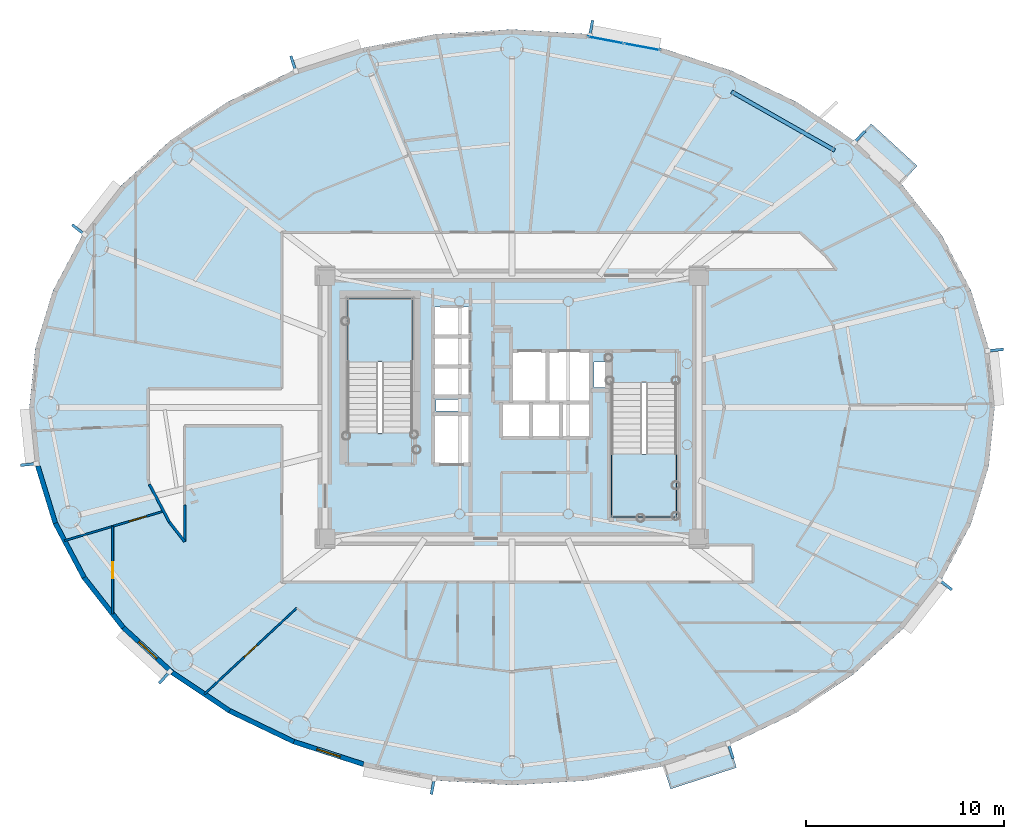
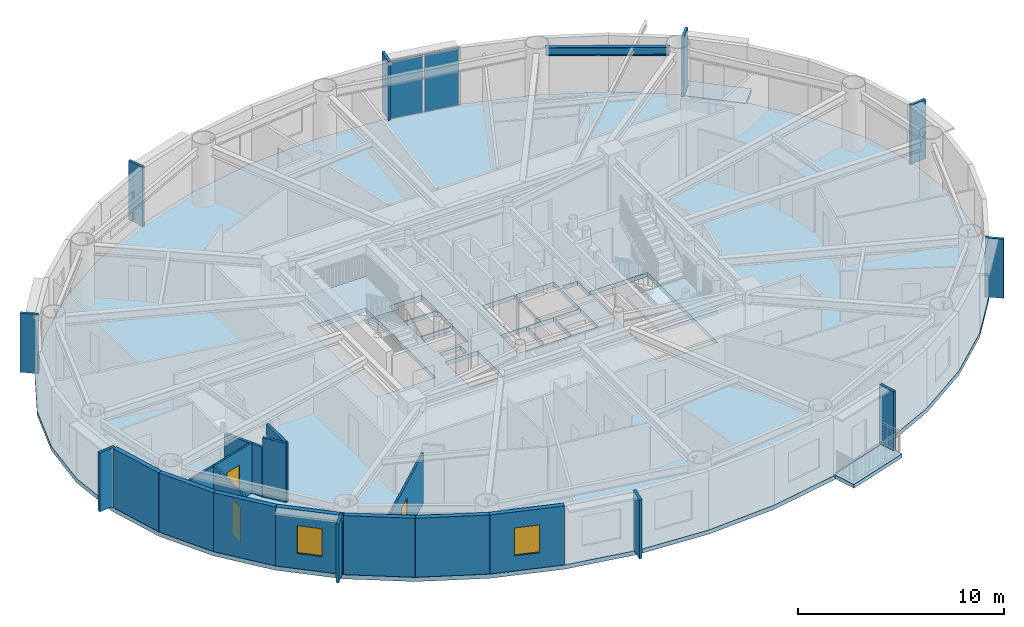
# One storey, part 5 of 18: 13 walls, 12 plates, 5 slabs, 3 doors, 2 windows, 1 beam, 5 openings, 3 elements without a shape of their own.
"""IFC4 building model written with IfcOpenShell, lengths in metres."""

from ifc_helpers import new_model, si_unit, direction, frame, frame_2d, origin, origin_2d, place, context, subcontext, project, spatial, polyline, rectangle, i_section, outline, extrude, source, transform, mapped, material, layer, layer_set, material_profile, profile_set, type_object, element, fill, aggregate, save


model = new_model("IFC4")

# Units and contexts
model_context = context("Model", 3, precision=1e-05, world=origin(), true_north=direction((0.0, 1.0)))
body_context = subcontext(model_context, "Body", "Model", "MODEL_VIEW")
ifc_project = project(units=[si_unit("LENGTHUNIT", "METRE"), si_unit("AREAUNIT", "SQUARE_METRE"), si_unit("VOLUMEUNIT", "CUBIC_METRE"), si_unit("PLANEANGLEUNIT", "RADIAN"), si_unit("MASSUNIT", "GRAM", prefix="KILO")], contexts=[model_context])

# Site, building, storey
site_placement = place(None, origin())
site = spatial("IfcSite", under=ifc_project, at=site_placement, CompositionType="ELEMENT")
building_placement = place(site_placement, origin())
building = spatial("IfcBuilding", under=site, at=building_placement, Name="Linh Dai School and Residence Tower", CompositionType="ELEMENT")
storey_placement = place(building_placement, frame((0.0, 0.0, 225.300048828125)))
storey = spatial("IfcBuildingStorey", under=building, at=storey_placement, Name="L55", CompositionType="ELEMENT", Elevation=225.300048828125)

# Beam
ifc_material_1 = material(Name="Structural Steel S355JR", Category="steel")
ifc_material_profile = material_profile(ifc_material_1, i_section(OverallWidth=0.199951171875, OverallDepth=0.5, WebThickness=0.01025390625, FlangeThickness=0.01611328125, FilletRadius=0.02099609375, at=origin_2d()), Name="IPE 500")
ifc_profile_set = profile_set([ifc_material_profile], Name="Structural Steel S355JR")
beam_type = type_object("IfcBeamType", Name="BM-RB50", PredefinedType="BEAM", material=ifc_profile_set)
beam_placement = place(storey_placement, frame((52.318115234375, 39.988525390625, 3.25), z_axis=(-0.869297314463, 0.494289570058, 0.0), x_axis=(-0.494289570058, -0.869297314463, 0.0)))
element("IfcBeam", 1, at=beam_placement, inside=storey, type_object=beam_type, Name="L55 Perimeter Elliptical Ring Beam 03", PredefinedType="BEAM", context=body_context, shape_type="SweptSolid", body=[
    extrude(i_section(OverallWidth=0.199951171875, OverallDepth=0.5, WebThickness=0.01025390625, FlangeThickness=0.01611328125, FilletRadius=0.02099609375, at=origin_2d()), origin(), (0.0, 0.0, 1.0), 6.003173828125),
])

# Slabs
ifc_material_2 = material(Name="Concrete B45 (C35/45)", Category="concrete")
ifc_layer_1 = layer(ifc_material_2, 0.219970703125)
ifc_layer_set_1 = layer_set([ifc_layer_1], Name="Concrete B45 (C35/45)")
slab_type_1 = type_object("IfcSlabType", Name="SLB-BALC-220", PredefinedType="FLOOR", material=ifc_layer_set_1)
slab_1_placement = place(storey_placement, frame((0.0, 0.0, -0.219970703125)))
element("IfcSlab", 2, at=slab_1_placement, inside=storey, type_object=slab_type_1, Name="L55 Sliding Balcony Slab 05", PredefinedType="FLOOR", context=body_context, shape_type="SweptSolid", body=[
    extrude(outline(polyline([(53.280517578125, 40.37646484375), (55.60498046875, 38.245361328125), (56.483642578125, 39.20361328125), (54.158935546875, 41.334716796875), (53.280517578125, 40.37646484375)])), origin(), (0.0, 0.0, 1.0), 0.219970703125),
])
slab_2_placement = place(storey_placement, frame((0.0, 0.0, -0.219970703125)))
element("IfcSlab", 3, at=slab_2_placement, inside=storey, type_object=slab_type_1, Name="L55 Sliding Balcony Slab 33", PredefinedType="FLOOR", context=body_context, shape_type="SweptSolid", body=[
    extrude(outline(polyline([(46.94970703125, 10.019775390625), (43.6181640625, 8.939208984375), (44.019287109375, 7.70263671875), (47.350830078125, 8.783203125), (46.94970703125, 10.019775390625)])), origin(), (0.0, 0.0, 1.0), 0.219970703125),
])
ifc_layer_2 = layer(ifc_material_2, 0.25)
ifc_layer_set_2 = layer_set([ifc_layer_2], Name="Concrete B45 (C35/45)")
slab_type_2 = type_object("IfcSlabType", Name="SLB-FLR250", PredefinedType="FLOOR", material=ifc_layer_set_2)
slab_3_placement = place(storey_placement, frame((0.0, 0.0, -0.25)))
element("IfcSlab", 4, at=slab_3_placement, inside=storey, type_object=slab_type_2, Name="L55 Composite Structural Floor Slab", PredefinedType="FLOOR", context=body_context, shape_type="SweptSolid", body=[
    extrude(outline(polyline([(60.39990234375, 27.0), (60.099609375, 29.98876953125), (59.205810546875, 32.90380859375), (57.740478515625, 35.673583984375), (55.739990234375, 38.229736328125), (53.25341796875, 40.50927734375), (50.342041015625, 42.456298828125), (47.077392578125, 44.022705078125), (43.5400390625, 45.169921875), (39.81689453125, 45.869873046875), (36.0, 46.10498046875), (32.18310546875, 45.869873046875), (28.4599609375, 45.169921875), (24.922607421875, 44.022705078125), (21.657958984375, 42.456298828125), (18.74658203125, 40.50927734375), (16.260009765625, 38.229736328125), (14.259521484375, 35.673583984375), (12.794189453125, 32.90380859375), (11.900390625, 29.98876953125), (11.60009765625, 27.0), (11.900390625, 24.01123046875), (12.794189453125, 21.09619140625), (14.259521484375, 18.326416015625), (16.260009765625, 15.770263671875), (18.74658203125, 13.49072265625), (21.657958984375, 11.543701171875), (24.922607421875, 9.977294921875), (28.4599609375, 8.830078125), (32.18310546875, 8.130126953125), (36.0, 7.89501953125), (39.81689453125, 8.130126953125), (43.5400390625, 8.830078125), (47.077392578125, 9.977294921875), (50.342041015625, 11.543701171875), (53.25341796875, 13.49072265625), (55.739990234375, 15.770263671875), (57.740478515625, 18.326416015625), (59.205810546875, 21.09619140625), (60.099609375, 24.01123046875), (60.39990234375, 27.0)]), holes=[polyline([(30.97998046875, 25.699951171875), (30.97998046875, 32.5), (27.679931640625, 32.5), (27.679931640625, 25.699951171875), (30.97998046875, 25.699951171875)]), polyline([(41.02001953125, 28.25), (41.02001953125, 21.449951171875), (44.320068359375, 21.449951171875), (44.320068359375, 28.25), (41.02001953125, 28.25)]), polyline([(35.97998046875, 27.280029296875), (37.77001953125, 27.280029296875), (37.77001953125, 29.820068359375), (35.97998046875, 29.820068359375), (35.97998046875, 27.280029296875)]), polyline([(32.030029296875, 24.1298828125), (33.8701171875, 24.1298828125), (33.8701171875, 26.6201171875), (32.030029296875, 26.6201171875), (32.030029296875, 24.1298828125)]), polyline([(37.830078125, 27.280029296875), (39.969970703125, 27.280029296875), (39.969970703125, 29.820068359375), (37.830078125, 29.820068359375), (37.830078125, 27.280029296875)]), polyline([(32.030029296875, 27.580078125), (33.8701171875, 27.580078125), (33.8701171875, 29.030029296875), (32.030029296875, 29.030029296875), (32.030029296875, 27.580078125)]), polyline([(32.030029296875, 29.090087890625), (33.8701171875, 29.090087890625), (33.8701171875, 30.550048828125), (32.030029296875, 30.550048828125), (32.030029296875, 29.090087890625)]), polyline([(32.030029296875, 30.610107421875), (33.8701171875, 30.610107421875), (33.8701171875, 32.070068359375), (32.030029296875, 32.070068359375), (32.030029296875, 30.610107421875)]), polyline([(35.47998046875, 25.47998046875), (36.929931640625, 25.47998046875), (36.929931640625, 27.219970703125), (35.47998046875, 27.219970703125), (35.47998046875, 25.47998046875)]), polyline([(36.989990234375, 25.47998046875), (38.449951171875, 25.47998046875), (38.449951171875, 27.219970703125), (36.989990234375, 27.219970703125), (36.989990234375, 25.47998046875)]), polyline([(38.510009765625, 25.47998046875), (39.969970703125, 25.47998046875), (39.969970703125, 27.219970703125), (38.510009765625, 27.219970703125), (38.510009765625, 25.47998046875)]), polyline([(40.14990234375, 28.0), (40.14990234375, 29.300048828125), (41.0, 29.300048828125), (41.0, 28.280029296875), (40.989990234375, 28.280029296875), (40.989990234375, 28.0), (40.14990234375, 28.0)]), polyline([(32.14990234375, 26.800048828125), (33.35009765625, 26.800048828125), (33.35009765625, 27.39990234375), (32.14990234375, 27.39990234375), (32.14990234375, 26.800048828125)])]), origin(), (0.0, 0.0, 1.0), 0.25),
])

# Stair, slab
stair_type = type_object("IfcStairType", Name="ST-DOG-1550-R1442", PredefinedType="HALF_TURN_STAIR", material=ifc_material_2)
stair_1_placement = place(storey_placement, origin())
stair_1 = element("IfcStair", 5, at=stair_1_placement, inside=storey, type_object=stair_type, Name="L55 Core Smokeproof Exit Stair ST1", PredefinedType="HALF_TURN_STAIR")
ifc_layer_3 = layer(ifc_material_2, 0.199951171875)
ifc_layer_set_3 = layer_set([ifc_layer_3], Name="Concrete B45 (C35/45)")
slab_type_3 = type_object("IfcSlabType", Name="SLB-ST-LANDING-200", PredefinedType="LANDING", material=ifc_layer_set_3)
slab_4_placement = place(storey_placement, frame((0.0, 0.0, 1.675048828125)))
slab_4 = element("IfcSlab", 6, at=slab_4_placement, type_object=slab_type_3, Name="ST1 landing 1", PredefinedType="LANDING", context=body_context, shape_type="SweptSolid", body=[
    extrude(outline(polyline([(30.97998046875, 29.300048828125), (30.97998046875, 32.5), (27.679931640625, 32.5), (27.679931640625, 29.300048828125), (30.97998046875, 29.300048828125)])), origin(), (0.0, 0.0, 1.0), 0.199951171875),
])
aggregate(stair_1, [slab_4])

stair_2_placement = place(storey_placement, origin())
stair_2 = element("IfcStair", 7, at=stair_2_placement, inside=storey, type_object=stair_type, Name="L55 Core Smokeproof Exit Stair ST2", PredefinedType="HALF_TURN_STAIR")
slab_5_placement = place(storey_placement, frame((0.0, 0.0, 1.675048828125)))
slab_5 = element("IfcSlab", 8, at=slab_5_placement, type_object=slab_type_3, Name="ST2 landing 1", PredefinedType="LANDING", context=body_context, shape_type="SweptSolid", body=[
    extrude(outline(polyline([(41.02001953125, 24.64990234375), (41.02001953125, 21.449951171875), (44.320068359375, 21.449951171875), (44.320068359375, 24.64990234375), (41.02001953125, 24.64990234375)])), origin(), (0.0, 0.0, 1.0), 0.199951171875),
])
aggregate(stair_2, [slab_5])

# Plates
ifc_material_3 = material(Name="Precast Concrete B45 (C35/45)", Category="concrete")
ifc_layer_4 = layer(ifc_material_3, 0.139892578125)
ifc_layer_set_4 = layer_set([ifc_layer_4], Name="Precast Concrete B45 (C35/45)")
plate_type_1 = type_object("IfcPlateType", Name="FIN-TC-900x140", PredefinedType="USERDEFINED", material=ifc_layer_set_4)
shared_shape_1 = source(origin(), body_context, "Body", "SweptSolid", [
    extrude(rectangle(XDim=0.89990234375, YDim=0.139892578125, at=origin_2d()), origin(), (0.0, 0.0, 1.0), 3.5),
])
for number, where, z_axis, x_axis, name in (
    (9, (60.39697265625, 29.885498046875, 0.0), (0.0, 0.0, 1.0), (0.99498620644, 0.100012244219, 0.0), "L55 Precast Terracotta Radial Fin 01"),
    (10, (53.541748046875, 40.632080078125, 0.0), (0.0, 0.0, 1.0), (0.675757574408, 0.737123938446, 0.0), "L55 Precast Terracotta Radial Fin 05"),
    (11, (39.995361328125, 46.12646484375, 0.0), (0.0, 0.0, 1.0), (0.18474448537, 0.982786586765, 0.0), "L55 Precast Terracotta Radial Fin 09"),
    (12, (24.95654296875, 44.33349609375, 0.0), (0.0, 0.0, 1.0), (-0.308501065272, 0.951223997135, 0.0), "L55 Precast Terracotta Radial Fin 13"),
    (13, (14.115234375, 35.952392578125, 0.0), (0.0, 0.0, 1.0), (-0.787486677066, 0.616331674867, 0.0), "L55 Precast Terracotta Radial Fin 17"),
    (14, (11.60302734375, 24.114501953125, 0.0), (0.0, 0.0, 1.0), (-0.99498620644, -0.100012244219, 0.0), "L55 Precast Terracotta Radial Fin 21"),
    (15, (18.458251953125, 13.367919921875, 0.0), (0.0, 0.0, 1.0), (-0.675756089102, -0.737125300096, 0.0), "L55 Precast Terracotta Radial Fin 25"),
    (16, (32.004638671875, 7.87353515625, 0.0), (0.0, 0.0, 1.0), (-0.18474448537, -0.982786586765, 0.0), "L55 Precast Terracotta Radial Fin 29"),
    (17, (47.04345703125, 9.66650390625, 0.0), (0.0, 0.0, 1.0), (0.308501065272, -0.951223997135, 0.0), "L55 Precast Terracotta Radial Fin 33"),
    (18, (57.884765625, 18.047607421875, 0.0), (0.0, 0.0, 1.0), (0.787485171888, -0.616333598027, 0.0), "L55 Precast Terracotta Radial Fin 37"),
):
    element("IfcPlate", number, at=place(storey_placement, frame(where, z_axis=z_axis, x_axis=x_axis)), inside=storey, type_object=plate_type_1, Name=name, ObjectType="RADIAL FIN", PredefinedType="USERDEFINED", context=body_context, shape_type="MappedRepresentation", body=[
        mapped(shared_shape_1, transform((0.0, 0.0, 0.0), x_axis=(1.0, 0.0, 0.0), y_axis=(0.0, 1.0, 0.0), z_axis=(0.0, 0.0, 1.0), scale=1.0)),
    ])

# Curtain wall, plates
ifc_material_4 = material(Name="Aluminium Anodised Curtain Wall", Category="aluminium")
ifc_layer_5 = layer(ifc_material_4, 0.14990234375)
ifc_layer_set_5 = layer_set([ifc_layer_5], Name="Aluminium Anodised Curtain Wall")
curtain_wall_type = type_object("IfcCurtainWallType", Name="CW-SYS-4", PredefinedType="USERDEFINED", material=ifc_layer_set_5)
curtain_wall_placement = place(storey_placement, origin())
curtain_wall = element("IfcCurtainWall", 19, at=curtain_wall_placement, inside=storey, type_object=curtain_wall_type, Name="L55 CW4 Curtain Wall 09", ObjectType="RIBBON CURTAIN WALL", PredefinedType="USERDEFINED")
ifc_material_5 = material(Name="Double Low-E Insulated Glazing", Category="glass")
ifc_layer_6 = layer(ifc_material_5, 0.02587890625)
ifc_layer_set_6 = layer_set([ifc_layer_6], Name="Double Low-E Insulated Glazing")
plate_type_2 = type_object("IfcPlateType", Name="CW-SYS-4-PAN", PredefinedType="CURTAIN_PANEL", material=ifc_layer_set_6)
shared_shape_2 = source(origin(), body_context, "Body", "SweptSolid", [
    extrude(rectangle(XDim=1.808349609375, YDim=0.02587890625, at=origin_2d()), origin(), (0.0, 0.0, 1.0), 3.39599609375),
])
plate_1_placement = place(storey_placement, frame((40.7412109375, 45.569091796875, 0.052001953125), z_axis=(0.0, 0.0, 1.0), x_axis=(0.982786586765, -0.18474448537, 0.0)))
plate_1 = element("IfcPlate", 20, at=plate_1_placement, type_object=plate_type_2, Name="CW4 panel 1.1", PredefinedType="CURTAIN_PANEL", context=body_context, shape_type="MappedRepresentation", body=[
    mapped(shared_shape_2, transform((0.0, 0.0, 0.0), x_axis=(1.0, 0.0, 0.0), y_axis=(0.0, 1.0, 0.0), z_axis=(0.0, 0.0, 1.0), scale=1.0)),
])
plate_2_placement = place(storey_placement, frame((42.569580078125, 45.225341796875, 0.052001953125), z_axis=(0.0, 0.0, 1.0), x_axis=(0.982786586765, -0.18474448537, 0.0)))
plate_2 = element("IfcPlate", 21, at=plate_2_placement, type_object=plate_type_2, Name="CW4 panel 2.1", PredefinedType="CURTAIN_PANEL", context=body_context, shape_type="MappedRepresentation", body=[
    mapped(shared_shape_2, transform((0.0, 0.0, 0.0), x_axis=(1.0, 0.0, 0.0), y_axis=(0.0, 1.0, 0.0), z_axis=(0.0, 0.0, 1.0), scale=1.0)),
])
aggregate(curtain_wall, [plate_1, plate_2])

# Walls
ifc_layer_7 = layer(ifc_material_3, 0.239990234375)
ifc_layer_set_7 = layer_set([ifc_layer_7], Name="Precast Concrete B45 (C35/45)")
wall_type_1 = type_object("IfcWallType", Name="EW-TC-240", PredefinedType="SOLIDWALL", material=ifc_layer_set_7)
wall_1_placement = place(storey_placement, frame((12.90966796875, 21.14404296875, 0.0), z_axis=(0.0, 0.0, 1.0), x_axis=(-0.293132907334, 0.95607170162, 0.0)))
element("IfcWall", 22, at=wall_1_placement, inside=storey, type_object=wall_type_1, Name="L55 Terracotta Exterior Wall 22", PredefinedType="SOLIDWALL", context=body_context, shape_type="SweptSolid", body=[
    extrude(rectangle(XDim=3.02490234375, YDim=0.239990234375, at=frame_2d((1.512451171875, 0.0))), origin(), (0.0, 0.0, 1.0), 3.5),
])
wall_2_placement = place(storey_placement, frame((14.3642578125, 18.394775390625, 0.0), z_axis=(0.0, 0.0, 1.0), x_axis=(-0.46766049993, 0.883908172157, 0.0)))
element("IfcWall", 23, at=wall_2_placement, inside=storey, type_object=wall_type_1, Name="L55 Terracotta Exterior Wall 23", PredefinedType="SOLIDWALL", context=body_context, shape_type="SweptSolid", body=[
    extrude(rectangle(XDim=3.1103515625, YDim=0.239990234375, at=frame_2d((1.55517578125, 0.0))), origin(), (0.0, 0.0, 1.0), 3.5),
])
wall_3_placement = place(storey_placement, frame((16.3515625, 15.85546875, 0.0), z_axis=(0.0, 0.0, 1.0), x_axis=(-0.616312344705, 0.787501805562, 0.0)))
element("IfcWall", 24, at=wall_3_placement, inside=storey, type_object=wall_type_1, Name="L55 Terracotta Exterior Wall 24", PredefinedType="SOLIDWALL", context=body_context, shape_type="SweptSolid", body=[
    extrude(rectangle(XDim=3.224609375, YDim=0.239990234375, at=frame_2d((1.6123046875, 0.0))), origin(), (0.0, 0.0, 1.0), 3.5),
])

# Wall, opening, window
wall_4_placement = place(storey_placement, frame((18.82373046875, 13.589111328125, 0.0), z_axis=(0.0, 0.0, 1.0), x_axis=(-0.737123922599, 0.675757591694, 0.0)))
wall_4 = element("IfcWall", 25, at=wall_4_placement, inside=storey, type_object=wall_type_1, Name="L55 Terracotta Exterior Wall 25", PredefinedType="SOLIDWALL", context=body_context, shape_type="SweptSolid", body=[
    extrude(rectangle(XDim=3.353759765625, YDim=0.239990234375, at=frame_2d((1.6767578125, 0.0))), origin(), (0.0, 0.0, 1.0), 3.5),
])
opening_1_placement = place(wall_4_placement, frame((1.0517578125, 0.0, 0.89990234375)))
opening_1 = element("IfcOpeningElement", 26, at=opening_1_placement, cuts=wall_4, Name="Opening W3", PredefinedType="OPENING", context=body_context, shape_type="SweptSolid", body=[
    extrude(rectangle(XDim=1.25, YDim=1.64990234375, at=origin_2d()), frame((0.625, 0.1298828125, 0.824951171875), z_axis=(0.0, -1.0, 0.0), x_axis=(1.0, 0.0, 0.0)), (0.0, 0.0, 1.0), 0.260009765625),
])
window_type = type_object("IfcWindowType", Name="WN-RES-1250x1650", PartitioningType="SINGLE_PANEL", PredefinedType="WINDOW", material=ifc_material_5)
shared_shape_3 = source(origin(), body_context, "Body", "SweptSolid", [
    extrude(rectangle(XDim=1.25, YDim=1.64990234375, at=origin_2d()), frame((0.625, 0.030029296875, 0.824951171875), z_axis=(0.0, -1.0, 0.0), x_axis=(1.0, 0.0, 0.0)), (0.0, 0.0, 1.0), 0.06005859375),
])
window_1_placement = place(opening_1_placement, origin())
window_1 = element("IfcWindow", 27, at=window_1_placement, inside=storey, type_object=window_type, Name="L55 Dwelling Window U5502-LIV", OverallHeight=1.64990234375, OverallWidth=1.25, PartitioningType="SINGLE_PANEL", PredefinedType="WINDOW", context=body_context, shape_type="MappedRepresentation", body=[
    mapped(shared_shape_3, transform((0.0, 0.0, 0.0), x_axis=(1.0, 0.0, 0.0), y_axis=(0.0, 1.0, 0.0), z_axis=(0.0, 0.0, 1.0), scale=1.0)),
])
fill(opening_1, window_1)

# Walls
wall_5_placement = place(storey_placement, frame((21.719970703125, 11.65234375, 0.0), z_axis=(0.0, 0.0, 1.0), x_axis=(-0.831262496074, 0.555880079352, 0.0)))
element("IfcWall", 28, at=wall_5_placement, inside=storey, type_object=wall_type_1, Name="L55 Terracotta Exterior Wall 26", PredefinedType="SOLIDWALL", context=body_context, shape_type="SweptSolid", body=[
    extrude(rectangle(XDim=3.484130859375, YDim=0.239990234375, at=frame_2d((1.7421875, 0.0))), origin(), (0.0, 0.0, 1.0), 3.5),
])
wall_6_placement = place(storey_placement, frame((24.968994140625, 10.093505859375, 0.0), z_axis=(0.0, 0.0, 1.0), x_axis=(-0.901598104751, 0.432574684313, 0.0)))
element("IfcWall", 29, at=wall_6_placement, inside=storey, type_object=wall_type_1, Name="L55 Terracotta Exterior Wall 27", PredefinedType="SOLIDWALL", context=body_context, shape_type="SweptSolid", body=[
    extrude(rectangle(XDim=3.603515625, YDim=0.239990234375, at=frame_2d((1.8017578125, 0.0))), origin(), (0.0, 0.0, 1.0), 3.5),
])

# Wall, opening, window
wall_7_placement = place(storey_placement, frame((28.49072265625, 8.951171875, 0.0), z_axis=(0.0, 0.0, 1.0), x_axis=(-0.951210789182, 0.308541787354, 0.0)))
wall_7 = element("IfcWall", 30, at=wall_7_placement, inside=storey, type_object=wall_type_1, Name="L55 Terracotta Exterior Wall 28", PredefinedType="SOLIDWALL", context=body_context, shape_type="SweptSolid", body=[
    extrude(rectangle(XDim=3.702392578125, YDim=0.239990234375, at=frame_2d((1.85107421875, 0.0))), origin(), (0.0, 0.0, 1.0), 3.5),
])
opening_2_placement = place(wall_7_placement, frame((1.226318359375, 0.0, 0.89990234375)))
opening_2 = element("IfcOpeningElement", 31, at=opening_2_placement, cuts=wall_7, Name="Opening W3", PredefinedType="OPENING", context=body_context, shape_type="SweptSolid", body=[
    extrude(rectangle(XDim=1.25, YDim=1.64990234375, at=origin_2d()), frame((0.625, 0.1298828125, 0.824951171875), z_axis=(0.0, -1.0, 0.0), x_axis=(1.0, 0.0, 0.0)), (0.0, 0.0, 1.0), 0.260009765625),
])
window_2_placement = place(opening_2_placement, origin())
window_2 = element("IfcWindow", 32, at=window_2_placement, inside=storey, type_object=window_type, Name="L55 Dwelling Window U5502-BD2", OverallHeight=1.64990234375, OverallWidth=1.25, PartitioningType="SINGLE_PANEL", PredefinedType="WINDOW", context=body_context, shape_type="MappedRepresentation", body=[
    mapped(shared_shape_3, transform((0.0, 0.0, 0.0), x_axis=(1.0, 0.0, 0.0), y_axis=(0.0, 1.0, 0.0), z_axis=(0.0, 0.0, 1.0), scale=1.0)),
])
fill(opening_2, window_2)

# Walls
ifc_material_6 = material(Name="Autoclaved Aerated Concrete Blockwork", Category="masonry")
ifc_layer_8 = layer(ifc_material_6, 0.135009765625)
ifc_layer_set_8 = layer_set([ifc_layer_8], Name="Autoclaved Aerated Concrete Blockwork")
wall_type_2 = type_object("IfcWallType", Name="IW-CORR-135-EI90", PredefinedType="PARTITIONING", material=ifc_layer_set_8)
wall_8_placement = place(storey_placement, frame((17.66650390625, 23.111083984375, 0.0), z_axis=(0.0, 0.0, 1.0), x_axis=(0.467582558239, -0.883949405357, 0.0)))
element("IfcWall", 33, at=wall_8_placement, inside=storey, type_object=wall_type_2, Name="L55 Interior Partition Wall 010", PredefinedType="PARTITIONING", context=body_context, shape_type="SweptSolid", body=[
    extrude(rectangle(XDim=2.1689453125, YDim=0.135009765625, at=frame_2d((1.08447265625, 0.0))), origin(), (0.0, 0.0, 1.0), 2.93505859375),
])
wall_9_placement = place(storey_placement, frame((18.6806640625, 21.1943359375, 0.0), z_axis=(0.0, 0.0, 1.0), x_axis=(0.616239706802, -0.787558647823, 0.0)))
element("IfcWall", 34, at=wall_9_placement, inside=storey, type_object=wall_type_2, Name="L55 Interior Partition Wall 011", PredefinedType="PARTITIONING", context=body_context, shape_type="SweptSolid", body=[
    extrude(rectangle(XDim=1.248291015625, YDim=0.135009765625, at=frame_2d((0.6240234375, 0.0))), origin(), (0.0, 0.0, 1.0), 3.5),
])
wall_10_placement = place(storey_placement, frame((19.449951171875, 20.211181640625, 0.0), z_axis=(0.0, 0.0, 1.0), x_axis=(0.0, 1.0, 0.0)))
element("IfcWall", 35, at=wall_10_placement, inside=storey, type_object=wall_type_2, Name="L55 Interior Partition Wall 013", PredefinedType="PARTITIONING", context=body_context, shape_type="SweptSolid", body=[
    extrude(rectangle(XDim=1.854736328125, YDim=0.135009765625, at=frame_2d((0.92724609375, 0.0))), origin(), (0.0, 0.0, 1.0), 3.5),
])

# Wall, opening, door
ifc_material_7 = material(Name="Gypsum Plasterboard Acoustic Stud Partition", Category="masonry")
ifc_layer_9 = layer(ifc_material_7, 0.10009765625)
ifc_layer_set_9 = layer_set([ifc_layer_9], Name="Gypsum Plasterboard Acoustic Stud Partition")
wall_type_3 = type_object("IfcWallType", Name="IW-UNIT-100", PredefinedType="PARTITIONING", material=ifc_layer_set_9)
wall_11_placement = place(storey_placement, frame((13.37451171875, 20.254638671875, 0.0), z_axis=(0.0, 0.0, 1.0), x_axis=(0.95831691216, 0.285707360544, 0.0)))
wall_11 = element("IfcWall", 36, at=wall_11_placement, inside=storey, type_object=wall_type_3, Name="L55 Interior Partition Wall 003", PredefinedType="PARTITIONING", context=body_context, shape_type="SweptSolid", body=[
    extrude(rectangle(XDim=5.23046875, YDim=0.10009765625, at=frame_2d((2.615234375, 0.0))), origin(), (0.0, 0.0, 1.0), 2.98486328125),
])
opening_3_placement = place(wall_11_placement, frame((3.41162109375, 0.0, 0.0)))
opening_3 = element("IfcOpeningElement", 37, at=opening_3_placement, cuts=wall_11, Name="Opening D05", PredefinedType="OPENING", context=body_context, shape_type="SweptSolid", body=[
    extrude(rectangle(XDim=0.89990234375, YDim=2.10009765625, at=origin_2d()), frame((0.449951171875, 0.06005859375, 1.050048828125), z_axis=(0.0, -1.0, 0.0), x_axis=(1.0, 0.0, 0.0)), (0.0, 0.0, 1.0), 0.1201171875),
])
ifc_material_8 = material(Name="Engineered Timber Internal Door", Category="wood")
door_type_1 = type_object("IfcDoorType", Name="DR-INT-900x2100", OperationType="NOTDEFINED", PredefinedType="DOOR", material=ifc_material_8)
shared_shape_4 = source(origin(), body_context, "Body", "SweptSolid", [
    extrude(rectangle(XDim=0.89990234375, YDim=2.10009765625, at=origin_2d()), frame((0.449951171875, 0.02490234375, 1.050048828125), z_axis=(0.0, -1.0, 0.0), x_axis=(1.0, 0.0, 0.0)), (0.0, 0.0, 1.0), 0.050048828125),
])
door_1_placement = place(opening_3_placement, origin())
door_1 = element("IfcDoor", 38, at=door_1_placement, inside=storey, type_object=door_type_1, Name="L55 Apartment U5502 Study Door", OperationType="SINGLE_SWING_LEFT", OverallHeight=2.10009765625, OverallWidth=0.89990234375, PredefinedType="DOOR", context=body_context, shape_type="MappedRepresentation", body=[
    mapped(shared_shape_4, transform((0.0, 0.0, 0.0), x_axis=(1.0, 0.0, 0.0), y_axis=(0.0, 1.0, 0.0), z_axis=(0.0, 0.0, 1.0), scale=1.0)),
])
fill(opening_3, door_1)

wall_12_placement = place(storey_placement, frame((15.802001953125, 16.549560546875, 0.0), z_axis=(0.0, 0.0, 1.0), x_axis=(0.0, 1.0, 0.0)))
wall_12 = element("IfcWall", 39, at=wall_12_placement, inside=storey, type_object=wall_type_3, Name="L55 Interior Partition Wall 005", PredefinedType="PARTITIONING", context=body_context, shape_type="SweptSolid", body=[
    extrude(rectangle(XDim=4.4287109375, YDim=0.10009765625, at=frame_2d((2.21435546875, 0.0))), origin(), (0.0, 0.0, 1.0), 2.98486328125),
])
opening_4_placement = place(wall_12_placement, frame((1.804443359375, 0.0, 0.0)))
opening_4 = element("IfcOpeningElement", 40, at=opening_4_placement, cuts=wall_12, Name="Opening D06", PredefinedType="OPENING", context=body_context, shape_type="SweptSolid", body=[
    extrude(rectangle(XDim=0.820068359375, YDim=2.10009765625, at=origin_2d()), frame((0.41015625, 0.06005859375, 1.050048828125), z_axis=(0.0, -1.0, 0.0), x_axis=(1.0, 0.0, 0.0)), (0.0, 0.0, 1.0), 0.1201171875),
])
ifc_material_9 = material(Name="Moisture-Resistant Timber Bathroom Door", Category="wood")
door_type_2 = type_object("IfcDoorType", Name="DR-WET-820x2100", OperationType="NOTDEFINED", PredefinedType="DOOR", material=ifc_material_9)
shared_shape_5 = source(origin(), body_context, "Body", "SweptSolid", [
    extrude(rectangle(XDim=0.820068359375, YDim=2.10009765625, at=origin_2d()), frame((0.41015625, 0.02490234375, 1.050048828125), z_axis=(0.0, -1.0, 0.0), x_axis=(1.0, 0.0, 0.0)), (0.0, 0.0, 1.0), 0.050048828125),
])
door_2_placement = place(opening_4_placement, origin())
door_2 = element("IfcDoor", 41, at=door_2_placement, inside=storey, type_object=door_type_2, Name="L55 Apartment U5502 Bathroom 1 Door", OperationType="SINGLE_SWING_LEFT", OverallHeight=2.10009765625, OverallWidth=0.820068359375, PredefinedType="DOOR", context=body_context, shape_type="MappedRepresentation", body=[
    mapped(shared_shape_5, transform((0.0, 0.0, 0.0), x_axis=(1.0, 0.0, 0.0), y_axis=(0.0, 1.0, 0.0), z_axis=(0.0, 0.0, 1.0), scale=1.0)),
])
fill(opening_4, door_2)

wall_13_placement = place(storey_placement, frame((20.44921875, 12.49609375, 0.0), z_axis=(0.0, 0.0, 1.0), x_axis=(0.731298421662, 0.682057635743, 0.0)))
wall_13 = element("IfcWall", 42, at=wall_13_placement, inside=storey, type_object=wall_type_3, Name="L55 Interior Partition Wall 016", PredefinedType="PARTITIONING", context=body_context, shape_type="SweptSolid", body=[
    extrude(rectangle(XDim=6.376220703125, YDim=0.10009765625, at=frame_2d((3.18798828125, 0.0))), origin(), (0.0, 0.0, 1.0), 2.98486328125),
])
opening_5_placement = place(wall_13_placement, frame((2.738037109375, 0.0, 0.0)))
opening_5 = element("IfcOpeningElement", 43, at=opening_5_placement, cuts=wall_13, Name="Opening D05", PredefinedType="OPENING", context=body_context, shape_type="SweptSolid", body=[
    extrude(rectangle(XDim=0.89990234375, YDim=2.10009765625, at=origin_2d()), frame((0.449951171875, 0.06005859375, 1.050048828125), z_axis=(0.0, -1.0, 0.0), x_axis=(1.0, 0.0, 0.0)), (0.0, 0.0, 1.0), 0.1201171875),
])
door_3_placement = place(opening_5_placement, origin())
door_3 = element("IfcDoor", 44, at=door_3_placement, inside=storey, type_object=door_type_1, Name="L55 Apartment U5502 Principal Bedroom 2 Door", OperationType="SINGLE_SWING_RIGHT", OverallHeight=2.10009765625, OverallWidth=0.89990234375, PredefinedType="DOOR", context=body_context, shape_type="MappedRepresentation", body=[
    mapped(shared_shape_4, transform((0.0, 0.0, 0.0), x_axis=(1.0, 0.0, 0.0), y_axis=(0.0, 1.0, 0.0), z_axis=(0.0, 0.0, 1.0), scale=1.0)),
])
fill(opening_5, door_3)

save(model, "model.ifc")
